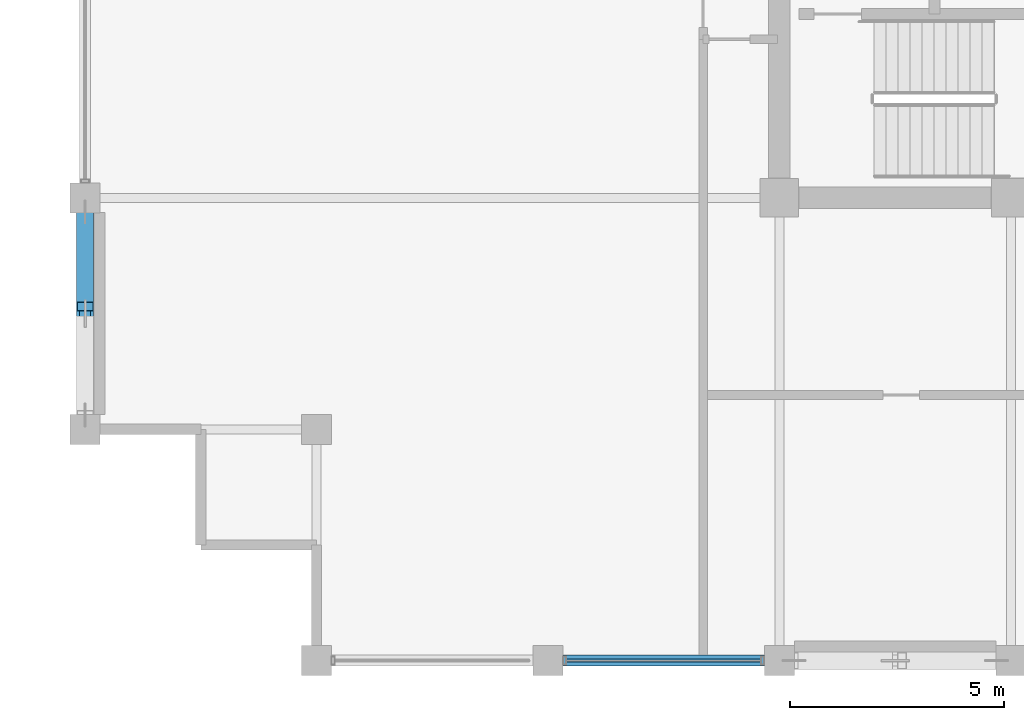
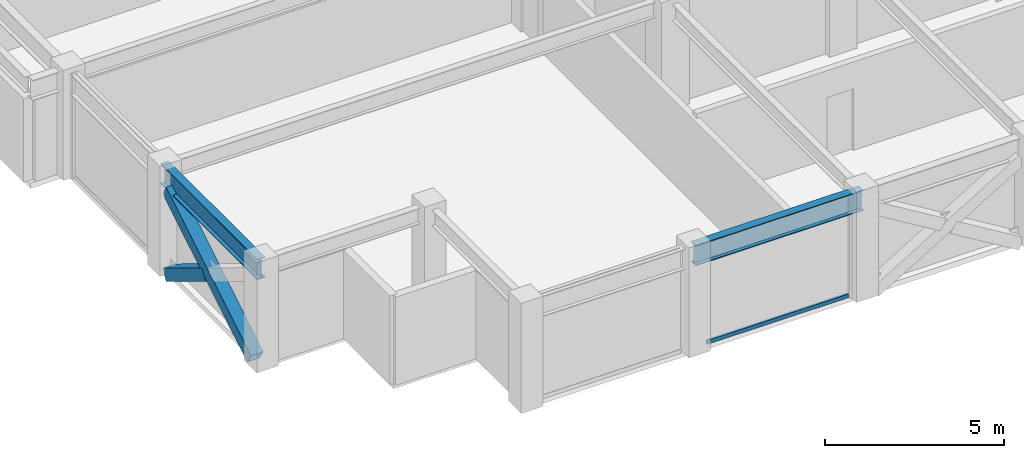
# One storey, part 3 of 29: 3 members, 2 beams, 1 element without a shape of its own.
"""IFC4 building model written with IfcOpenShell, lengths in metres."""

from ifc_helpers import new_model, si_unit, direction, frame, origin, origin_2d, place, context, subcontext, project, spatial, hollow_rectangle, i_section, extrude, material, layer, layer_set, material_profile, profile_set, type_object, element, aggregate, save


model = new_model("IFC4")

# Units and contexts
model_context = context("Model", 3, precision=1e-05, world=origin(), true_north=direction((0.0, 1.0)))
body_context = subcontext(model_context, "Body", "Model", "MODEL_VIEW")
ifc_project = project(units=[si_unit("LENGTHUNIT", "METRE"), si_unit("AREAUNIT", "SQUARE_METRE"), si_unit("VOLUMEUNIT", "CUBIC_METRE"), si_unit("PLANEANGLEUNIT", "RADIAN"), si_unit("MASSUNIT", "GRAM", prefix="KILO")], contexts=[model_context])

# Site, building, storey
site_placement = place(None, origin())
site = spatial("IfcSite", under=ifc_project, at=site_placement, CompositionType="ELEMENT")
building_placement = place(site_placement, origin())
building = spatial("IfcBuilding", under=site, at=building_placement, Name="Surkhivell Harbour Commons", CompositionType="ELEMENT")
storey_placement = place(building_placement, frame((0.0, 0.0, 277.5)))
storey = spatial("IfcBuildingStorey", under=building, at=storey_placement, Name="L72", CompositionType="ELEMENT", Elevation=277.5)

# Beams
ifc_material_1 = material(Name="Steel S355", Category="steel")
ifc_material_profile_1 = material_profile(ifc_material_1, i_section(OverallWidth=0.256103515625, OverallDepth=0.693115234375, WebThickness=0.014404296875, FlangeThickness=0.023681640625, at=origin_2d()), Name="UB686x254x170")
ifc_profile_set_1 = profile_set([ifc_material_profile_1], Name="Steel S355")
beam_type = type_object("IfcBeamType", Name="BM-SPN-686", PredefinedType="SPANDREL", material=ifc_profile_set_1)
for number, where, z_axis, x_axis, name in (
    (1, (-27.0, -16.199951171875, 3.223388671875), (0.0, 1.0, 0.0), (-1.0, 0.0, 0.0), "L72 Tube Spandrel (-27.0,-16.2)"),
    (2, (-16.199951171875, -21.60009765625, 3.223388671875), (1.0, 0.0, 0.0), (0.0, 1.0, 0.0), "L72 Tube Spandrel (-16.2,-21.6)"),
):
    element("IfcBeam", number, at=place(storey_placement, frame(where, z_axis=z_axis, x_axis=x_axis)), inside=storey, type_object=beam_type, Name=name, PredefinedType="SPANDREL", context=body_context, shape_type="SweptSolid", body=[
        extrude(i_section(OverallWidth=0.256103515625, OverallDepth=0.693115234375, WebThickness=0.014404296875, FlangeThickness=0.023681640625, at=origin_2d()), origin(), (0.0, 0.0, 1.0), 5.39990234375),
    ])

# Curtain wall, member
ifc_material_2 = material(Name="Anodised pale-metal aluminium and insulated glazing", Category="aluminium")
ifc_layer = layer(ifc_material_2, 0.175048828125)
ifc_layer_set = layer_set([ifc_layer], Name="Anodised pale-metal aluminium and insulated glazing")
curtain_wall_type = type_object("IfcCurtainWallType", Name="CW-SYS-Z4", PredefinedType="NOTDEFINED", material=ifc_layer_set)
curtain_wall_placement = place(storey_placement, origin())
curtain_wall = element("IfcCurtainWall", 3, at=curtain_wall_placement, inside=storey, type_object=curtain_wall_type, Name="L72 Curtain Wall CW-L72-E00S1", PredefinedType="NOTDEFINED")
ifc_material_3 = material(Name="Champagne anodised aluminium alloy 6063-T6", Category="aluminium")
ifc_material_profile_2 = material_profile(ifc_material_3, hollow_rectangle(XDim=0.070068359375, YDim=0.1298828125, WallThickness=0.00341796875, at=origin_2d()), Name="ALU-TRAN-70x130")
ifc_profile_set_2 = profile_set([ifc_material_profile_2], Name="Champagne anodised aluminium alloy 6063-T6")
member_type_1 = type_object("IfcMemberType", Name="CWT-130", PredefinedType="USERDEFINED", material=ifc_profile_set_2)
member_1_placement = place(storey_placement, frame((-15.77294921875, -21.60009765625, 0.06494140625), z_axis=(1.0, 0.0, 0.0), x_axis=(0.0, 1.0, 0.0)))
member_1 = element("IfcMember", 4, at=member_1_placement, type_object=member_type_1, Name="CW-Z4 transom 2.1", ObjectType="TRANSOM", PredefinedType="USERDEFINED", context=body_context, shape_type="SweptSolid", body=[
    extrude(hollow_rectangle(XDim=0.070068359375, YDim=0.1298828125, WallThickness=0.00341796875, at=origin_2d()), origin(), (0.0, 0.0, 1.0), 4.5458984375),
])
aggregate(curtain_wall, [member_1])

# Members
ifc_material_4 = material(Name="Steel S460", Category="steel")
ifc_material_profile_3 = material_profile(ifc_material_4, hollow_rectangle(XDim=0.39990234375, YDim=0.39990234375, WallThickness=0.02001953125, at=origin_2d()), Name="SHS400x400x20")
ifc_profile_set_3 = profile_set([ifc_material_profile_3], Name="Steel S460")
member_type_2 = type_object("IfcMemberType", Name="MEM-BRC-SHS400", PredefinedType="BRACE", material=ifc_profile_set_3)
member_2_placement = place(storey_placement, frame((-27.0, -15.864990234375, 0.008056640625), z_axis=(0.0, 0.854685454322, 0.519146197299), x_axis=(-1.0, 0.0, 0.0)))
element("IfcMember", 5, at=member_2_placement, inside=storey, type_object=member_type_2, Name="L72 Perimeter Mega-Brace MB- 10", PredefinedType="BRACE", context=body_context, shape_type="SweptSolid", body=[
    extrude(hollow_rectangle(XDim=0.39990234375, YDim=0.39990234375, WallThickness=0.02001953125, at=origin_2d()), origin(), (0.0, 0.0, 1.0), 5.5341796875),
])
member_3_placement = place(storey_placement, frame((-27.0, -11.135009765625, 0.008056640625), z_axis=(0.0, -0.854719912157, 0.519089464122), x_axis=(1.0, 0.0, 0.0)))
element("IfcMember", 6, at=member_3_placement, inside=storey, type_object=member_type_2, Name="L72 Perimeter Mega-Brace MB- 11", PredefinedType="BRACE", context=body_context, shape_type="SweptSolid", body=[
    extrude(hollow_rectangle(XDim=0.39990234375, YDim=0.39990234375, WallThickness=0.02001953125, at=origin_2d()), origin(), (0.0, 0.0, 1.0), 2.574951171875),
])

save(model, "model.ifc")
